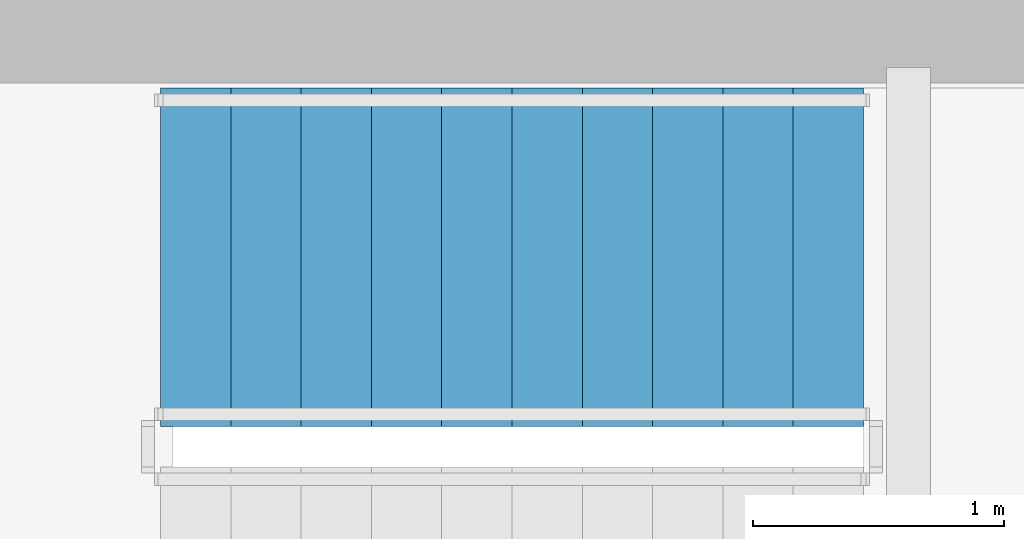
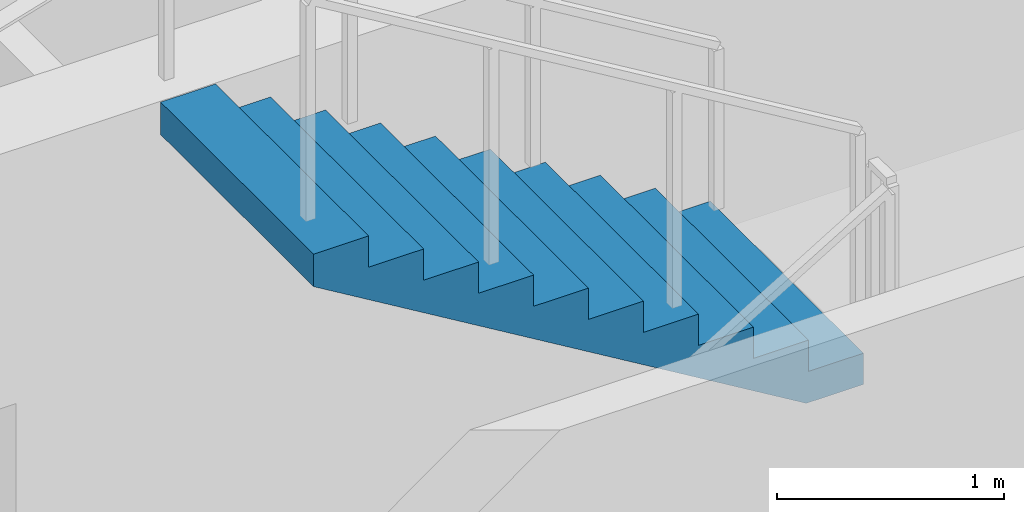
# One storey, part 21 of 23: 1 stair flight, 1 element without a shape of its own.
"""IFC4 building model written with IfcOpenShell, lengths in metres."""

import ifcopenshell
import ifcopenshell.guid

model = None  # the IFC model being written
_history = None  # IfcOwnerHistory: only IFC2X3 demands one
_inside = {}  # id of a spatial element -> (the spatial element, [elements in it])
_under = {}  # id of a project, library or spatial element -> (it, [spatial elements below it])
_declared = {}  # id of a project -> (the project, [libraries it declares])
_typed = {}  # id of a type object -> (the type object, [elements of that type])
_made_of = {}  # id of a material, layer set ... -> (it, [elements and type objects made of it])


def new_model(schema):
    """Start an empty IFC model of exactly this schema.

    Asked for "IFC4X3", IfcOpenShell would pick the latest addendum, in which some entities
    have other attributes; the version numbers below select the first issue.
    IFC2X3 requires an IfcOwnerHistory on every rooted entity: one is made here for all.
    """
    global model, _history
    if schema == "IFC4X3":
        model = ifcopenshell.file(schema_version=(4, 3, 0, 0))
    else:
        model = ifcopenshell.file(schema=schema)
    _inside.clear()
    _under.clear()
    _declared.clear()
    _typed.clear()
    _made_of.clear()
    _history = None
    if model.schema == "IFC2X3":
        org = make("IfcOrganization", Name="unknown")
        user = make(
            "IfcPersonAndOrganization",
            ThePerson=make("IfcPerson", FamilyName="unknown"),
            TheOrganization=org,
        )
        app = make(
            "IfcApplication",
            ApplicationDeveloper=org,
            Version="unknown",
            ApplicationFullName="unknown",
            ApplicationIdentifier="unknown",
        )
        _history = make(
            "IfcOwnerHistory",
            OwningUser=user,
            OwningApplication=app,
            ChangeAction="ADDED",
            CreationDate=0,
        )
    return model


def make(cls, **values):
    """One entity of the class cls with the attributes given. An attribute that is None is left unset."""
    return model.create_entity(
        cls, **{name: value for name, value in values.items() if value is not None}
    )


def rooted(cls, **values):
    """An entity with a GlobalId (a new one), such as an element, a storey or a relation."""
    return make(cls, GlobalId=ifcopenshell.guid.new(), OwnerHistory=_history, **values)


def si_unit(unit_type, name, prefix=None):
    """IfcSIUnit, for example si_unit("LENGTHUNIT", "METRE", prefix="MILLI")."""
    return make("IfcSIUnit", UnitType=unit_type, Prefix=prefix, Name=name)


def assignment(units):
    """IfcUnitAssignment: the units of a project."""
    return None if units is None else make("IfcUnitAssignment", Units=units)


def point(xyz):
    """IfcCartesianPoint."""
    return None if xyz is None else make("IfcCartesianPoint", Coordinates=xyz)


def direction(xyz):
    """IfcDirection."""
    return None if xyz is None else make("IfcDirection", DirectionRatios=xyz)


def frame(location, z_axis=None, x_axis=None):
    """IfcAxis2Placement3D, a coordinate frame: its origin and axes. An axis left out is left unset."""
    return make(
        "IfcAxis2Placement3D",
        Location=point(location),
        Axis=direction(z_axis),
        RefDirection=direction(x_axis),
    )


def origin():
    """The frame at (0, 0, 0) with its axes left unset."""
    return frame((0.0, 0.0, 0.0))


def place(relative_to, where):
    """IfcLocalPlacement: puts the frame where relative to a parent placement (None: the world)."""
    return make(
        "IfcLocalPlacement", PlacementRelTo=relative_to, RelativePlacement=where
    )


def context(
    kind, dimensions, precision=None, world=None, true_north=None, identifier=None
):
    """IfcGeometricRepresentationContext, for example the 3D "Model" context."""
    return make(
        "IfcGeometricRepresentationContext",
        ContextIdentifier=identifier,
        ContextType=kind,
        CoordinateSpaceDimension=dimensions,
        Precision=precision,
        WorldCoordinateSystem=world,
        TrueNorth=true_north,
    )


def subcontext(parent, identifier, kind, view, scale=None):
    """IfcGeometricRepresentationSubContext, for example "Body" below "Model"."""
    return make(
        "IfcGeometricRepresentationSubContext",
        ContextIdentifier=identifier,
        ContextType=kind,
        ParentContext=parent,
        TargetScale=scale,
        TargetView=view,
    )


def project(units=None, contexts=None):
    """IfcProject with its units and contexts."""
    return rooted(
        "IfcProject",
        Name="project",
        RepresentationContexts=contexts,
        UnitsInContext=assignment(units),
    )


def spatial(cls, under=None, at=None, **own):
    """A site, building, storey or space (cls), placed at a placement, below another one or the project."""
    s = rooted(cls, ObjectPlacement=at, **own)
    if under is not None:
        _under.setdefault(under.id(), (under, []))[1].append(s)
    return s


def polyline(points):
    """IfcPolyline through the points."""
    return make("IfcPolyline", Points=[point(p) for p in points])


def outline(outer, holes=None, kind="AREA"):
    """IfcArbitraryClosedProfileDef: a profile drawn as a closed curve; with holes, ...WithVoids."""
    if holes is None:
        return make("IfcArbitraryClosedProfileDef", ProfileType=kind, OuterCurve=outer)
    return make(
        "IfcArbitraryProfileDefWithVoids",
        ProfileType=kind,
        OuterCurve=outer,
        InnerCurves=holes,
    )


def extrude(swept, where, along, depth):
    """IfcExtrudedAreaSolid: the profile swept, set in the frame where, extruded along a direction by depth."""
    return make(
        "IfcExtrudedAreaSolid",
        SweptArea=swept,
        Position=where,
        ExtrudedDirection=direction(along),
        Depth=depth,
    )


def shape(context_of_items, identifier, shape_type, items):
    """IfcShapeRepresentation: the items that make up one representation, for example the "Body"."""
    return make(
        "IfcShapeRepresentation",
        ContextOfItems=context_of_items,
        RepresentationIdentifier=identifier,
        RepresentationType=shape_type,
        Items=items,
    )


def material(Name=None, Category=None):
    """IfcMaterial."""
    return make("IfcMaterial", Name=Name, Category=Category)


def made_of(thing, what):
    """Note that an element or type object is made of a material, layer set ...; save() writes the relation."""
    if what is not None:
        _made_of.setdefault(what.id(), (what, []))[1].append(thing)
    return thing


def type_object(cls, material=None, **own):
    """A type object (cls), such as IfcWallType, which elements share."""
    return made_of(rooted(cls, **own), material)


def element(
    cls,
    number,
    at=None,
    inside=None,
    cuts=None,
    type_object=None,
    material=None,
    context=None,
    identifier="Body",
    shape_type=None,
    held_by="IfcProductDefinitionShape",
    body=None,
    shapes=None,
    **own,
):
    """One element of the class cls, such as IfcWall. Its Tag is "e" and its number.

    at: its placement. inside: the storey or other place that contains it. cuts: it is an
    opening in that element (IfcRelVoidsElement). A single representation is given by context,
    identifier, shape_type and body (its items); several are given by shapes. held_by: the class
    of the entity that holds the representations. save() writes the other relations.
    """
    e = rooted(cls, Tag="e%d" % number, ObjectPlacement=at, **own)
    if body is not None:
        shapes = [shape(context, identifier, shape_type, body)]
    if shapes is not None:
        e.Representation = make(held_by, Representations=shapes)
    if inside is not None:
        _inside.setdefault(inside.id(), (inside, []))[1].append(e)
    if cuts is not None:
        rooted(
            "IfcRelVoidsElement", RelatingBuildingElement=cuts, RelatedOpeningElement=e
        )
    if type_object is not None:
        _typed.setdefault(type_object.id(), (type_object, []))[1].append(e)
    return made_of(e, material)


def aggregate(whole, parts):
    """IfcRelAggregates: a whole, such as a stair, and the parts it consists of."""
    return rooted("IfcRelAggregates", RelatingObject=whole, RelatedObjects=parts)


def save(model, path):
    """Write the relations noted so far, then the file.

    IfcRelAggregates (storeys below a building ...), IfcRelContainedInSpatialStructure (elements
    in a storey), IfcRelDefinesByType, IfcRelAssociatesMaterial and IfcRelDeclares: one each for
    every whole, place, type object, material and project.
    """
    for whole, parts in _under.values():
        aggregate(whole, parts)
    for where, things in _inside.values():
        rooted(
            "IfcRelContainedInSpatialStructure",
            RelatedElements=things,
            RelatingStructure=where,
        )
    for kind, things in _typed.values():
        rooted("IfcRelDefinesByType", RelatedObjects=things, RelatingType=kind)
    for what, things in _made_of.values():
        rooted("IfcRelAssociatesMaterial", RelatedObjects=things, RelatingMaterial=what)
    for by, libraries in _declared.values():
        rooted("IfcRelDeclares", RelatingContext=by, RelatedDefinitions=libraries)
    model.write(path)


model = new_model("IFC4")

# Units and contexts
model_context = context("Model", 3, precision=1e-05, world=origin(), true_north=direction((0.0, 1.0)))
body_context = subcontext(model_context, "Body", "Model", "MODEL_VIEW")
ifc_project = project(units=[si_unit("LENGTHUNIT", "METRE"), si_unit("AREAUNIT", "SQUARE_METRE"), si_unit("VOLUMEUNIT", "CUBIC_METRE"), si_unit("PLANEANGLEUNIT", "RADIAN"), si_unit("MASSUNIT", "GRAM", prefix="KILO")], contexts=[model_context])

# Site, building, storey
site_placement = place(None, origin())
site = spatial("IfcSite", under=ifc_project, at=site_placement, CompositionType="ELEMENT")
building_placement = place(site_placement, origin())
building = spatial("IfcBuilding", under=site, at=building_placement, Name="Qianvela Tower", CompositionType="ELEMENT")
storey_placement = place(building_placement, frame((0.0, 0.0, 284.300048828125)))
storey = spatial("IfcBuildingStorey", under=building, at=storey_placement, Name="L73", CompositionType="ELEMENT", Elevation=284.300048828125)

# Stair, stair flight
ifc_material_1 = material(Name="Concrete C40", Category="concrete")
stair_type = type_object("IfcStairType", Name="ST-DOGLEG-1350-R168-N22", PredefinedType="HALF_TURN_STAIR", material=ifc_material_1)
stair_placement = place(storey_placement, origin())
stair = element("IfcStair", 1, at=stair_placement, inside=storey, type_object=stair_type, Name="L73 Smoke-Proof Core Stair ST-1", PredefinedType="HALF_TURN_STAIR")
ifc_material_2 = material(Name="Concrete C40", Category="concrete")
stair_flight_type = type_object("IfcStairFlightType", Name="STF-STRAIGHT-R168-P11", PredefinedType="STRAIGHT", material=ifc_material_2)
stair_flight_placement = place(storey_placement, frame((35.0, 31.72509765625, 1.849853515625), z_axis=(0.0, 0.0, 1.0), x_axis=(-1.0, 0.0, 0.0)))
stair_flight = element("IfcStairFlight", 2, at=stair_flight_placement, type_object=stair_flight_type, Name="ST-1 flight 2", NumberOfRisers=11, NumberOfTreads=10, PredefinedType="STRAIGHT", RiserHeight=0.168181818, TreadLength=0.28, context=body_context, shape_type="SweptSolid", body=[
    extrude(outline(polyline([(0.0, 0.0), (0.0, 0.168212890625), (0.280029296875, 0.168212890625), (0.280029296875, 0.33642578125), (0.56005859375, 0.33642578125), (0.56005859375, 0.504638671875), (0.840087890625, 0.504638671875), (0.840087890625, 0.672607421875), (1.1201171875, 0.672607421875), (1.1201171875, 0.8408203125), (1.39990234375, 0.8408203125), (1.39990234375, 1.009033203125), (1.679931640625, 1.009033203125), (1.679931640625, 1.17724609375), (1.9599609375, 1.17724609375), (1.9599609375, 1.345458984375), (2.239990234375, 1.345458984375), (2.239990234375, 1.513671875), (2.52001953125, 1.513671875), (2.52001953125, 1.681884765625), (2.800048828125, 1.681884765625), (2.800048828125, 1.85009765625), (2.800048828125, 1.5068359375), (0.291015625, 0.0), (0.0, 0.0)])), frame((0.0, 0.675048828125, 0.0), z_axis=(0.0, -1.0, 0.0), x_axis=(1.0, 0.0, 0.0)), (0.0, 0.0, 1.0), 1.35009765625),
])
aggregate(stair, [stair_flight])

save(model, "model.ifc")
